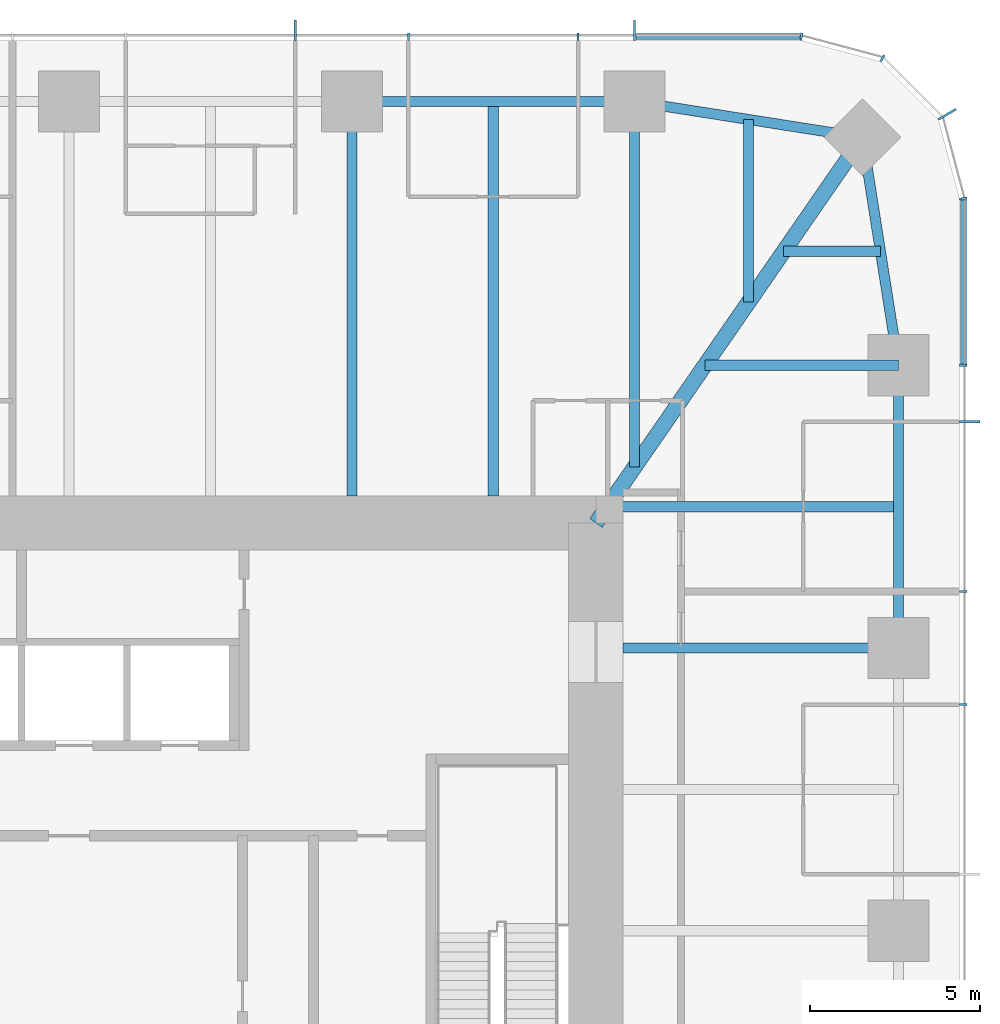
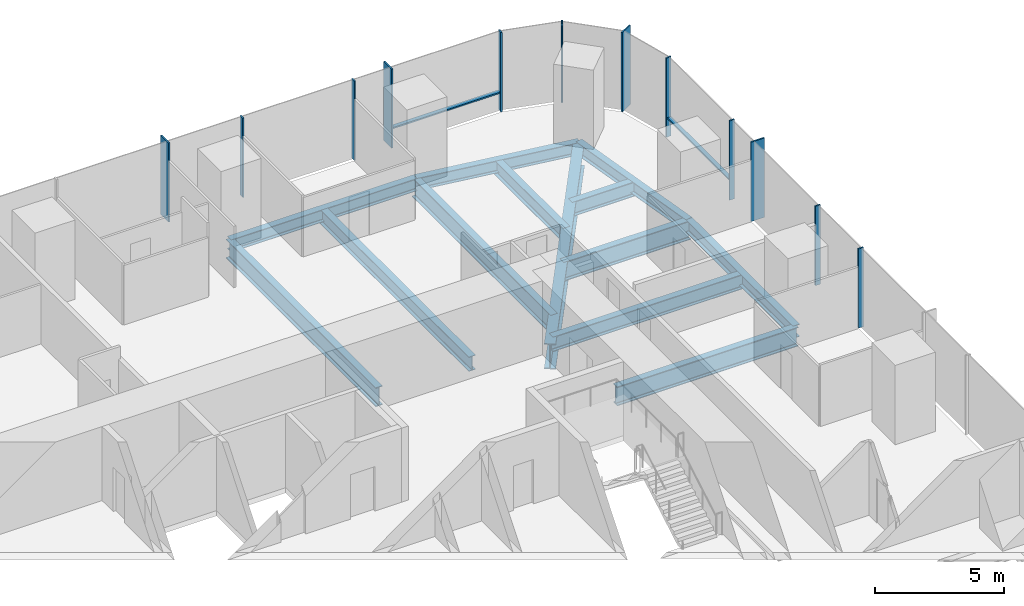
# One storey, part 6 of 12: 14 members, 13 beams, 3 elements without a shape of their own.
"""IFC4 building model written with IfcOpenShell, lengths in metres."""

import ifcopenshell
import ifcopenshell.guid

model = None  # the IFC model being written
_history = None  # IfcOwnerHistory: only IFC2X3 demands one
_inside = {}  # id of a spatial element -> (the spatial element, [elements in it])
_under = {}  # id of a project, library or spatial element -> (it, [spatial elements below it])
_declared = {}  # id of a project -> (the project, [libraries it declares])
_typed = {}  # id of a type object -> (the type object, [elements of that type])
_made_of = {}  # id of a material, layer set ... -> (it, [elements and type objects made of it])


def new_model(schema):
    """Start an empty IFC model of exactly this schema.

    Asked for "IFC4X3", IfcOpenShell would pick the latest addendum, in which some entities
    have other attributes; the version numbers below select the first issue.
    IFC2X3 requires an IfcOwnerHistory on every rooted entity: one is made here for all.
    """
    global model, _history
    if schema == "IFC4X3":
        model = ifcopenshell.file(schema_version=(4, 3, 0, 0))
    else:
        model = ifcopenshell.file(schema=schema)
    _inside.clear()
    _under.clear()
    _declared.clear()
    _typed.clear()
    _made_of.clear()
    _history = None
    if model.schema == "IFC2X3":
        org = make("IfcOrganization", Name="unknown")
        user = make(
            "IfcPersonAndOrganization",
            ThePerson=make("IfcPerson", FamilyName="unknown"),
            TheOrganization=org,
        )
        app = make(
            "IfcApplication",
            ApplicationDeveloper=org,
            Version="unknown",
            ApplicationFullName="unknown",
            ApplicationIdentifier="unknown",
        )
        _history = make(
            "IfcOwnerHistory",
            OwningUser=user,
            OwningApplication=app,
            ChangeAction="ADDED",
            CreationDate=0,
        )
    return model


def make(cls, **values):
    """One entity of the class cls with the attributes given. An attribute that is None is left unset."""
    return model.create_entity(
        cls, **{name: value for name, value in values.items() if value is not None}
    )


def rooted(cls, **values):
    """An entity with a GlobalId (a new one), such as an element, a storey or a relation."""
    return make(cls, GlobalId=ifcopenshell.guid.new(), OwnerHistory=_history, **values)


def si_unit(unit_type, name, prefix=None):
    """IfcSIUnit, for example si_unit("LENGTHUNIT", "METRE", prefix="MILLI")."""
    return make("IfcSIUnit", UnitType=unit_type, Prefix=prefix, Name=name)


def assignment(units):
    """IfcUnitAssignment: the units of a project."""
    return None if units is None else make("IfcUnitAssignment", Units=units)


def point(xyz):
    """IfcCartesianPoint."""
    return None if xyz is None else make("IfcCartesianPoint", Coordinates=xyz)


def direction(xyz):
    """IfcDirection."""
    return None if xyz is None else make("IfcDirection", DirectionRatios=xyz)


def frame(location, z_axis=None, x_axis=None):
    """IfcAxis2Placement3D, a coordinate frame: its origin and axes. An axis left out is left unset."""
    return make(
        "IfcAxis2Placement3D",
        Location=point(location),
        Axis=direction(z_axis),
        RefDirection=direction(x_axis),
    )


def frame_2d(location, x_axis=None):
    """IfcAxis2Placement2D, a coordinate frame in the plane: its origin and x axis."""
    return make(
        "IfcAxis2Placement2D", Location=point(location), RefDirection=direction(x_axis)
    )


def origin():
    """The frame at (0, 0, 0) with its axes left unset."""
    return frame((0.0, 0.0, 0.0))


def origin_2d():
    """The frame at (0, 0) in the plane with its x axis left unset."""
    return frame_2d((0.0, 0.0))


def place(relative_to, where):
    """IfcLocalPlacement: puts the frame where relative to a parent placement (None: the world)."""
    return make(
        "IfcLocalPlacement", PlacementRelTo=relative_to, RelativePlacement=where
    )


def context(
    kind, dimensions, precision=None, world=None, true_north=None, identifier=None
):
    """IfcGeometricRepresentationContext, for example the 3D "Model" context."""
    return make(
        "IfcGeometricRepresentationContext",
        ContextIdentifier=identifier,
        ContextType=kind,
        CoordinateSpaceDimension=dimensions,
        Precision=precision,
        WorldCoordinateSystem=world,
        TrueNorth=true_north,
    )


def subcontext(parent, identifier, kind, view, scale=None):
    """IfcGeometricRepresentationSubContext, for example "Body" below "Model"."""
    return make(
        "IfcGeometricRepresentationSubContext",
        ContextIdentifier=identifier,
        ContextType=kind,
        ParentContext=parent,
        TargetScale=scale,
        TargetView=view,
    )


def project(units=None, contexts=None):
    """IfcProject with its units and contexts."""
    return rooted(
        "IfcProject",
        Name="project",
        RepresentationContexts=contexts,
        UnitsInContext=assignment(units),
    )


def spatial(cls, under=None, at=None, **own):
    """A site, building, storey or space (cls), placed at a placement, below another one or the project."""
    s = rooted(cls, ObjectPlacement=at, **own)
    if under is not None:
        _under.setdefault(under.id(), (under, []))[1].append(s)
    return s


def profile(cls, at=None, kind="AREA", **sizes):
    """A parametric profile (cls). Its sizes go by their IFC names, for example OverallWidth=200.0."""
    return make(cls, ProfileType=kind, Position=at, **sizes)


def rectangle(**sizes):
    """IfcRectangleProfileDef."""
    return profile("IfcRectangleProfileDef", **sizes)


def i_section(**sizes):
    """IfcIShapeProfileDef."""
    return profile("IfcIShapeProfileDef", **sizes)


def extrude(swept, where, along, depth):
    """IfcExtrudedAreaSolid: the profile swept, set in the frame where, extruded along a direction by depth."""
    return make(
        "IfcExtrudedAreaSolid",
        SweptArea=swept,
        Position=where,
        ExtrudedDirection=direction(along),
        Depth=depth,
    )


def shape(context_of_items, identifier, shape_type, items):
    """IfcShapeRepresentation: the items that make up one representation, for example the "Body"."""
    return make(
        "IfcShapeRepresentation",
        ContextOfItems=context_of_items,
        RepresentationIdentifier=identifier,
        RepresentationType=shape_type,
        Items=items,
    )


def material(Name=None, Category=None):
    """IfcMaterial."""
    return make("IfcMaterial", Name=Name, Category=Category)


def material_profile(
    of_material, cross_section, Name=None, Category=None, Priority=None
):
    """IfcMaterialProfile: a cross section and its material."""
    return make(
        "IfcMaterialProfile",
        Name=Name,
        Material=of_material,
        Profile=cross_section,
        Priority=Priority,
        Category=Category,
    )


def profile_set(profiles, Name=None, composite=None):
    """IfcMaterialProfileSet."""
    return make(
        "IfcMaterialProfileSet",
        Name=Name,
        MaterialProfiles=profiles,
        CompositeProfile=composite,
    )


def made_of(thing, what):
    """Note that an element or type object is made of a material, layer set ...; save() writes the relation."""
    if what is not None:
        _made_of.setdefault(what.id(), (what, []))[1].append(thing)
    return thing


def type_object(cls, material=None, **own):
    """A type object (cls), such as IfcWallType, which elements share."""
    return made_of(rooted(cls, **own), material)


def element(
    cls,
    number,
    at=None,
    inside=None,
    cuts=None,
    type_object=None,
    material=None,
    context=None,
    identifier="Body",
    shape_type=None,
    held_by="IfcProductDefinitionShape",
    body=None,
    shapes=None,
    **own,
):
    """One element of the class cls, such as IfcWall. Its Tag is "e" and its number.

    at: its placement. inside: the storey or other place that contains it. cuts: it is an
    opening in that element (IfcRelVoidsElement). A single representation is given by context,
    identifier, shape_type and body (its items); several are given by shapes. held_by: the class
    of the entity that holds the representations. save() writes the other relations.
    """
    e = rooted(cls, Tag="e%d" % number, ObjectPlacement=at, **own)
    if body is not None:
        shapes = [shape(context, identifier, shape_type, body)]
    if shapes is not None:
        e.Representation = make(held_by, Representations=shapes)
    if inside is not None:
        _inside.setdefault(inside.id(), (inside, []))[1].append(e)
    if cuts is not None:
        rooted(
            "IfcRelVoidsElement", RelatingBuildingElement=cuts, RelatedOpeningElement=e
        )
    if type_object is not None:
        _typed.setdefault(type_object.id(), (type_object, []))[1].append(e)
    return made_of(e, material)


def aggregate(whole, parts):
    """IfcRelAggregates: a whole, such as a stair, and the parts it consists of."""
    return rooted("IfcRelAggregates", RelatingObject=whole, RelatedObjects=parts)


def save(model, path):
    """Write the relations noted so far, then the file.

    IfcRelAggregates (storeys below a building ...), IfcRelContainedInSpatialStructure (elements
    in a storey), IfcRelDefinesByType, IfcRelAssociatesMaterial and IfcRelDeclares: one each for
    every whole, place, type object, material and project.
    """
    for whole, parts in _under.values():
        aggregate(whole, parts)
    for where, things in _inside.values():
        rooted(
            "IfcRelContainedInSpatialStructure",
            RelatedElements=things,
            RelatingStructure=where,
        )
    for kind, things in _typed.values():
        rooted("IfcRelDefinesByType", RelatedObjects=things, RelatingType=kind)
    for what, things in _made_of.values():
        rooted("IfcRelAssociatesMaterial", RelatedObjects=things, RelatingMaterial=what)
    for by, libraries in _declared.values():
        rooted("IfcRelDeclares", RelatingContext=by, RelatedDefinitions=libraries)
    model.write(path)


model = new_model("IFC4")

# Units and contexts
model_context = context("Model", 3, precision=1e-05, world=origin(), true_north=direction((0.0, 1.0)))
body_context = subcontext(model_context, "Body", "Model", "MODEL_VIEW")
ifc_project = project(units=[si_unit("LENGTHUNIT", "METRE"), si_unit("AREAUNIT", "SQUARE_METRE"), si_unit("VOLUMEUNIT", "CUBIC_METRE"), si_unit("PLANEANGLEUNIT", "RADIAN"), si_unit("MASSUNIT", "GRAM", prefix="KILO")], contexts=[model_context])

# Site, building, storey
site_placement = place(None, origin())
site = spatial("IfcSite", under=ifc_project, at=site_placement, CompositionType="ELEMENT")
building_placement = place(site_placement, origin())
building = spatial("IfcBuilding", under=site, at=building_placement, Name="Khuree Lantern Residences", CompositionType="ELEMENT")
storey_placement = place(building_placement, frame((0.0, 0.0, 218.25)))
storey = spatial("IfcBuildingStorey", under=building, at=storey_placement, Name="L54", CompositionType="ELEMENT", Elevation=218.25)

# Beams
ifc_material_1 = material(Name="Steel S355", Category="steel")
ifc_material_profile_1 = material_profile(ifc_material_1, i_section(OverallWidth=0.300048828125, OverallDepth=0.68994140625, WebThickness=0.014404296875, FlangeThickness=0.027099609375, FilletRadius=0.027099609375, at=origin_2d()), Name="HE 700 A")
ifc_profile_set_1 = profile_set([ifc_material_profile_1], Name="Steel S355")
beam_type_1 = type_object("IfcBeamType", Name="B-32 SECONDARY BEAM HE 700 A", PredefinedType="BEAM", material=ifc_profile_set_1)
beam_1_placement = place(storey_placement, frame((12.47998046875, 24.39990234375, -0.594970703125), z_axis=(0.0, -1.0, 0.0), x_axis=(1.0, 0.0, 0.0)))
element("IfcBeam", 1, at=beam_1_placement, inside=storey, type_object=beam_type_1, Name="Secondary beam N4", PredefinedType="BEAM", context=body_context, shape_type="SweptSolid", body=[
    extrude(i_section(OverallWidth=0.300048828125, OverallDepth=0.68994140625, WebThickness=0.014404296875, FlangeThickness=0.027099609375, FilletRadius=0.027099609375, at=origin_2d()), origin(), (0.0, 0.0, 1.0), 11.599853515625),
])
beam_2_placement = place(storey_placement, frame((19.992919921875, 23.872802734375, -0.594970703125), z_axis=(0.0, -1.0, 0.0), x_axis=(1.0, 0.0, 0.0)))
element("IfcBeam", 2, at=beam_2_placement, inside=storey, type_object=beam_type_1, Name="Secondary beam N5", PredefinedType="BEAM", context=body_context, shape_type="SweptSolid", body=[
    extrude(i_section(OverallWidth=0.300048828125, OverallDepth=0.68994140625, WebThickness=0.014404296875, FlangeThickness=0.027099609375, FilletRadius=0.027099609375, at=origin_2d()), origin(), (0.0, 0.0, 1.0), 5.375732421875),
])
beam_3_placement = place(storey_placement, frame((23.872802734375, 19.992919921875, -0.594970703125), z_axis=(-1.0, 0.0, 0.0), x_axis=(0.0, -1.0, 0.0)))
element("IfcBeam", 3, at=beam_3_placement, inside=storey, type_object=beam_type_1, Name="Secondary beam E1", PredefinedType="BEAM", context=body_context, shape_type="SweptSolid", body=[
    extrude(i_section(OverallWidth=0.300048828125, OverallDepth=0.68994140625, WebThickness=0.014404296875, FlangeThickness=0.027099609375, FilletRadius=0.027099609375, at=origin_2d()), origin(), (0.0, 0.0, 1.0), 2.845703125),
])
beam_4_placement = place(storey_placement, frame((24.39990234375, 12.47998046875, -0.594970703125), z_axis=(-1.0, 0.0, 0.0), x_axis=(0.0, -1.0, 0.0)))
element("IfcBeam", 4, at=beam_4_placement, inside=storey, type_object=beam_type_1, Name="Secondary beam E2", PredefinedType="BEAM", context=body_context, shape_type="SweptSolid", body=[
    extrude(i_section(OverallWidth=0.300048828125, OverallDepth=0.68994140625, WebThickness=0.014404296875, FlangeThickness=0.027099609375, FilletRadius=0.027099609375, at=origin_2d()), origin(), (0.0, 0.0, 1.0), 8.56787109375),
])
ifc_material_profile_2 = material_profile(ifc_material_1, i_section(OverallWidth=0.300048828125, OverallDepth=0.590087890625, WebThickness=0.012939453125, FlangeThickness=0.02490234375, FilletRadius=0.027099609375, at=origin_2d()), Name="HE 600 A")
ifc_profile_set_2 = profile_set([ifc_material_profile_2], Name="Steel S355")
beam_type_2 = type_object("IfcBeamType", Name="E-32 SPANDREL BEAM HE 600 A", PredefinedType="SPANDREL", material=ifc_profile_set_2)
beam_5_placement = place(storey_placement, frame((8.320068359375, 24.39990234375, -0.544921875), z_axis=(1.0, 0.0, 0.0), x_axis=(0.0, 1.0, 0.0)))
element("IfcBeam", 5, at=beam_5_placement, inside=storey, type_object=beam_type_2, Name="Spandrel beam N4", PredefinedType="SPANDREL", context=body_context, shape_type="SweptSolid", body=[
    extrude(i_section(OverallWidth=0.300048828125, OverallDepth=0.590087890625, WebThickness=0.012939453125, FlangeThickness=0.02490234375, FilletRadius=0.027099609375, at=origin_2d()), origin(), (0.0, 0.0, 1.0), 8.31982421875),
])
for number, where, z_axis, x_axis, name in (
    (6, (16.639892578125, 24.39990234375, -0.544921875), (0.98786743189, -0.155299507442, 0.0), (0.155299507442, 0.98786743189, 0.0), "Spandrel beam N5"),
    (7, (23.345703125, 23.345703125, -0.544921875), (0.155299507442, -0.98786743189, 0.0), (0.98786743189, 0.155299507442, 0.0), "Spandrel beam E1"),
):
    element("IfcBeam", number, at=place(storey_placement, frame(where, z_axis=z_axis, x_axis=x_axis)), inside=storey, type_object=beam_type_2, Name=name, PredefinedType="SPANDREL", context=body_context, shape_type="SweptSolid", body=[
        extrude(i_section(OverallWidth=0.300048828125, OverallDepth=0.590087890625, WebThickness=0.012939453125, FlangeThickness=0.02490234375, FilletRadius=0.027099609375, at=origin_2d()), origin(), (0.0, 0.0, 1.0), 6.7880859375),
    ])
beam_6_placement = place(storey_placement, frame((24.39990234375, 16.639892578125, -0.544921875), z_axis=(0.0, -1.0, 0.0), x_axis=(1.0, 0.0, 0.0)))
element("IfcBeam", 8, at=beam_6_placement, inside=storey, type_object=beam_type_2, Name="Spandrel beam E2", PredefinedType="SPANDREL", context=body_context, shape_type="SweptSolid", body=[
    extrude(i_section(OverallWidth=0.300048828125, OverallDepth=0.590087890625, WebThickness=0.012939453125, FlangeThickness=0.02490234375, FilletRadius=0.027099609375, at=origin_2d()), origin(), (0.0, 0.0, 1.0), 8.31982421875),
])

# Curtain wall, member
ifc_material_2 = material(Name="Bronze anodised aluminium", Category="aluminium")
curtain_wall_type_1 = type_object("IfcCurtainWallType", Name="CW-T1 TOWER FACE CURTAIN WALL", PredefinedType="USERDEFINED", material=ifc_material_2)
curtain_wall_1_placement = place(storey_placement, origin())
curtain_wall_1 = element("IfcCurtainWall", 9, at=curtain_wall_1_placement, inside=storey, type_object=curtain_wall_type_1, Name="L54 EAST FACE CURTAIN WALL", ObjectType="Stick-built curtain wall", PredefinedType="USERDEFINED")
ifc_material_profile_3 = material_profile(ifc_material_2, rectangle(XDim=0.06494140625, YDim=0.60009765625, at=origin_2d()), Name="F1 65X600")
ifc_profile_set_3 = profile_set([ifc_material_profile_3], Name="Bronze anodised aluminium")
member_type_1 = type_object("IfcMemberType", Name="F1 BRONZE FIN MULLION TOWER 65X600", PredefinedType="MULLION", material=ifc_profile_set_3)
member_1_placement = place(storey_placement, frame((26.5, 14.97607421875, 0.0), z_axis=(0.0, 0.0, 1.0), x_axis=(0.0, 1.0, 0.0)))
member_1 = element("IfcMember", 10, at=member_1_placement, type_object=member_type_1, Name="L54 EAST FACE FIN MULLION 13", PredefinedType="MULLION", context=body_context, shape_type="SweptSolid", body=[
    extrude(rectangle(XDim=0.06494140625, YDim=0.60009765625, at=origin_2d()), origin(), (0.0, 0.0, 1.0), 3.75),
])

curtain_wall_type_2 = type_object("IfcCurtainWallType", Name="CW-T2 TOWER CORNER CURTAIN WALL", PredefinedType="USERDEFINED", material=ifc_material_2)
curtain_wall_2_placement = place(storey_placement, origin())
curtain_wall_2 = element("IfcCurtainWall", 11, at=curtain_wall_2_placement, inside=storey, type_object=curtain_wall_type_2, Name="L54 NORTH-EAST CORNER CURTAIN WALL", ObjectType="Faceted corner curtain wall", PredefinedType="USERDEFINED")
member_2_placement = place(storey_placement, frame((25.8369140625, 24.02490234375, 0.0), z_axis=(0.0, 0.0, 1.0), x_axis=(-0.499999989586, 0.866025409797, 0.0)))
member_2 = element("IfcMember", 12, at=member_2_placement, type_object=member_type_1, Name="L54 NORTH-EAST CORNER FIN MULLION 16", PredefinedType="MULLION", context=body_context, shape_type="SweptSolid", body=[
    extrude(rectangle(XDim=0.06494140625, YDim=0.60009765625, at=origin_2d()), origin(), (0.0, 0.0, 1.0), 3.75),
])

# Curtain wall, members
curtain_wall_3_placement = place(storey_placement, origin())
curtain_wall_3 = element("IfcCurtainWall", 13, at=curtain_wall_3_placement, inside=storey, type_object=curtain_wall_type_1, Name="L54 NORTH FACE CURTAIN WALL", ObjectType="Stick-built curtain wall", PredefinedType="USERDEFINED")
member_3_placement = place(storey_placement, frame((16.639892578125, 26.5, 0.0), z_axis=(0.0, 0.0, 1.0), x_axis=(-1.0, 0.0, 0.0)))
member_3 = element("IfcMember", 14, at=member_3_placement, type_object=member_type_1, Name="L54 NORTH FACE FIN MULLION 19", PredefinedType="MULLION", context=body_context, shape_type="SweptSolid", body=[
    extrude(rectangle(XDim=0.06494140625, YDim=0.60009765625, at=origin_2d()), origin(), (0.0, 0.0, 1.0), 3.75),
])
member_4_placement = place(storey_placement, frame((6.656005859375, 26.5, 0.0), z_axis=(0.0, 0.0, 1.0), x_axis=(-1.0, 0.0, 0.0)))
member_4 = element("IfcMember", 15, at=member_4_placement, type_object=member_type_1, Name="L54 NORTH FACE FIN MULLION 22", PredefinedType="MULLION", context=body_context, shape_type="SweptSolid", body=[
    extrude(rectangle(XDim=0.06494140625, YDim=0.60009765625, at=origin_2d()), origin(), (0.0, 0.0, 1.0), 3.75),
])

# Beams
ifc_material_profile_4 = material_profile(ifc_material_1, i_section(OverallWidth=0.300048828125, OverallDepth=0.89990234375, WebThickness=0.0185546875, FlangeThickness=0.034912109375, FilletRadius=0.030029296875, at=origin_2d()), Name="HE 900 B")
ifc_profile_set_4 = profile_set([ifc_material_profile_4], Name="Steel S355")
beam_type_3 = type_object("IfcBeamType", Name="G-32 GIRDER HE 900 B", PredefinedType="BEAM", material=ifc_profile_set_4)
beam_7_placement = place(storey_placement, frame((8.320068359375, 24.39990234375, -0.699951171875), z_axis=(0.0, -1.0, 0.0), x_axis=(1.0, 0.0, 0.0)))
element("IfcBeam", 16, at=beam_7_placement, inside=storey, type_object=beam_type_3, Name="Girder N4", PredefinedType="BEAM", context=body_context, shape_type="SweptSolid", body=[
    extrude(i_section(OverallWidth=0.300048828125, OverallDepth=0.89990234375, WebThickness=0.0185546875, FlangeThickness=0.034912109375, FilletRadius=0.030029296875, at=origin_2d()), origin(), (0.0, 0.0, 1.0), 11.599853515625),
])
beam_8_placement = place(storey_placement, frame((16.639892578125, 24.39990234375, -0.699951171875), z_axis=(0.0, -1.0, 0.0), x_axis=(1.0, 0.0, 0.0)))
element("IfcBeam", 17, at=beam_8_placement, inside=storey, type_object=beam_type_3, Name="Girder N5", PredefinedType="BEAM", context=body_context, shape_type="SweptSolid", body=[
    extrude(i_section(OverallWidth=0.300048828125, OverallDepth=0.89990234375, WebThickness=0.0185546875, FlangeThickness=0.034912109375, FilletRadius=0.030029296875, at=origin_2d()), origin(), (0.0, 0.0, 1.0), 10.751220703125),
])
beam_9_placement = place(storey_placement, frame((24.39990234375, 16.639892578125, -0.699951171875), z_axis=(-1.0, 0.0, 0.0), x_axis=(0.0, -1.0, 0.0)))
element("IfcBeam", 18, at=beam_9_placement, inside=storey, type_object=beam_type_3, Name="Girder E1", PredefinedType="BEAM", context=body_context, shape_type="SweptSolid", body=[
    extrude(i_section(OverallWidth=0.300048828125, OverallDepth=0.89990234375, WebThickness=0.0185546875, FlangeThickness=0.034912109375, FilletRadius=0.030029296875, at=origin_2d()), origin(), (0.0, 0.0, 1.0), 5.69140625),
])
beam_10_placement = place(storey_placement, frame((24.39990234375, 8.320068359375, -0.699951171875), z_axis=(-1.0, 0.0, 0.0), x_axis=(0.0, -1.0, 0.0)))
element("IfcBeam", 19, at=beam_10_placement, inside=storey, type_object=beam_type_3, Name="Girder E2", PredefinedType="BEAM", context=body_context, shape_type="SweptSolid", body=[
    extrude(i_section(OverallWidth=0.300048828125, OverallDepth=0.89990234375, WebThickness=0.0185546875, FlangeThickness=0.034912109375, FilletRadius=0.030029296875, at=origin_2d()), origin(), (0.0, 0.0, 1.0), 8.099853515625),
])
ifc_material_profile_5 = material_profile(ifc_material_1, i_section(OverallWidth=0.449951171875, OverallDepth=1.199951171875, WebThickness=0.02490234375, FlangeThickness=0.044921875, at=origin_2d()), Name="WELDED I 1200X450X25X45")
ifc_profile_set_5 = profile_set([ifc_material_profile_5], Name="Steel S355")
beam_type_4 = type_object("IfcBeamType", Name="GD-32 CORNER GIRDER WELDED I 1200X450X25X45", PredefinedType="BEAM", material=ifc_profile_set_5)
beam_11_placement = place(storey_placement, frame((23.345703125, 23.345703125, -0.85009765625), z_axis=(-0.56876813501, -0.822497907959, 0.0), x_axis=(0.822497907959, -0.56876813501, 0.0)))
element("IfcBeam", 20, at=beam_11_placement, inside=storey, type_object=beam_type_4, Name="Corner girder NE", PredefinedType="BEAM", context=body_context, shape_type="SweptSolid", body=[
    extrude(i_section(OverallWidth=0.449951171875, OverallDepth=1.199951171875, WebThickness=0.02490234375, FlangeThickness=0.044921875, at=origin_2d()), origin(), (0.0, 0.0, 1.0), 13.794189453125),
])

# Member
ifc_material_profile_6 = material_profile(ifc_material_2, rectangle(XDim=0.06494140625, YDim=0.219970703125, at=origin_2d()), Name="M1 65X220")
ifc_profile_set_6 = profile_set([ifc_material_profile_6], Name="Bronze anodised aluminium")
member_type_2 = type_object("IfcMemberType", Name="M1 BRONZE MULLION TOWER 65X220", PredefinedType="MULLION", material=ifc_profile_set_6)
member_5_placement = place(storey_placement, frame((26.31005859375, 6.656005859375, 0.0), z_axis=(0.0, 0.0, 1.0), x_axis=(0.0, 1.0, 0.0)))
member_5 = element("IfcMember", 21, at=member_5_placement, type_object=member_type_2, Name="L54 EAST FACE MULLION 11", PredefinedType="MULLION", context=body_context, shape_type="SweptSolid", body=[
    extrude(rectangle(XDim=0.06494140625, YDim=0.219970703125, at=origin_2d()), origin(), (0.0, 0.0, 1.0), 3.75),
])

member_6_placement = place(storey_placement, frame((26.31005859375, 9.98388671875, 0.0), z_axis=(0.0, 0.0, 1.0), x_axis=(0.0, 1.0, 0.0)))
member_6 = element("IfcMember", 22, at=member_6_placement, type_object=member_type_2, Name="L54 EAST FACE MULLION 12", PredefinedType="MULLION", context=body_context, shape_type="SweptSolid", body=[
    extrude(rectangle(XDim=0.06494140625, YDim=0.219970703125, at=origin_2d()), origin(), (0.0, 0.0, 1.0), 3.75),
])

member_7_placement = place(storey_placement, frame((26.31005859375, 16.639892578125, 0.0), z_axis=(0.0, 0.0, 1.0), x_axis=(0.0, 1.0, 0.0)))
member_7 = element("IfcMember", 23, at=member_7_placement, type_object=member_type_2, Name="L54 EAST FACE MULLION 14", PredefinedType="MULLION", context=body_context, shape_type="SweptSolid", body=[
    extrude(rectangle(XDim=0.06494140625, YDim=0.219970703125, at=origin_2d()), origin(), (0.0, 0.0, 1.0), 3.75),
])

member_8_placement = place(storey_placement, frame((26.311767578125, 21.544921875, 0.0), z_axis=(0.0, 0.0, 1.0), x_axis=(-0.130526180298, 0.991444862943, 0.0)))
member_8 = element("IfcMember", 24, at=member_8_placement, type_object=member_type_2, Name="L54 NORTH-EAST CORNER MULLION 15", PredefinedType="MULLION", context=body_context, shape_type="SweptSolid", body=[
    extrude(rectangle(XDim=0.06494140625, YDim=0.219970703125, at=origin_2d()), origin(), (0.0, 0.0, 1.0), 3.75),
])

member_9_placement = place(storey_placement, frame((23.929931640625, 25.67236328125, 0.0), z_axis=(0.0, 0.0, 1.0), x_axis=(-0.866025409797, 0.499999989586, 0.0)))
member_9 = element("IfcMember", 25, at=member_9_placement, type_object=member_type_2, Name="L54 NORTH-EAST CORNER MULLION 17", PredefinedType="MULLION", context=body_context, shape_type="SweptSolid", body=[
    extrude(rectangle(XDim=0.06494140625, YDim=0.219970703125, at=origin_2d()), origin(), (0.0, 0.0, 1.0), 3.75),
])

aggregate(curtain_wall_2, [member_8, member_2, member_9])

member_10_placement = place(storey_placement, frame((21.544921875, 26.311767578125, 0.0), z_axis=(0.0, 0.0, 1.0), x_axis=(-0.991444862943, 0.130526180298, 0.0)))
member_10 = element("IfcMember", 26, at=member_10_placement, type_object=member_type_2, Name="L54 NORTH FACE MULLION 18", PredefinedType="MULLION", context=body_context, shape_type="SweptSolid", body=[
    extrude(rectangle(XDim=0.06494140625, YDim=0.219970703125, at=origin_2d()), origin(), (0.0, 0.0, 1.0), 3.75),
])

member_11_placement = place(storey_placement, frame((14.97607421875, 26.31005859375, 0.0), z_axis=(0.0, 0.0, 1.0), x_axis=(-1.0, 0.0, 0.0)))
member_11 = element("IfcMember", 27, at=member_11_placement, type_object=member_type_2, Name="L54 NORTH FACE MULLION 20", PredefinedType="MULLION", context=body_context, shape_type="SweptSolid", body=[
    extrude(rectangle(XDim=0.06494140625, YDim=0.219970703125, at=origin_2d()), origin(), (0.0, 0.0, 1.0), 3.75),
])

member_12_placement = place(storey_placement, frame((9.98388671875, 26.31005859375, 0.0), z_axis=(0.0, 0.0, 1.0), x_axis=(-1.0, 0.0, 0.0)))
member_12 = element("IfcMember", 28, at=member_12_placement, type_object=member_type_2, Name="L54 NORTH FACE MULLION 21", PredefinedType="MULLION", context=body_context, shape_type="SweptSolid", body=[
    extrude(rectangle(XDim=0.06494140625, YDim=0.219970703125, at=origin_2d()), origin(), (0.0, 0.0, 1.0), 3.75),
])

ifc_material_profile_7 = material_profile(ifc_material_2, rectangle(XDim=0.179931640625, YDim=0.06494140625, at=origin_2d()), Name="T1 180X65")
ifc_profile_set_7 = profile_set([ifc_material_profile_7], Name="Bronze anodised aluminium")
member_type_3 = type_object("IfcMemberType", Name="TRANSOM T1 TOWER 180X65", PredefinedType="USERDEFINED", material=ifc_profile_set_7)
member_13_placement = place(storey_placement, frame((26.320068359375, 16.672607421875, 0.89990234375), z_axis=(0.0, 1.0, 0.0), x_axis=(-1.0, 0.0, 0.0)))
member_13 = element("IfcMember", 29, at=member_13_placement, type_object=member_type_3, Name="L54 EAST FACE TRANSOM 14.1", ObjectType="Transom", PredefinedType="USERDEFINED", context=body_context, shape_type="SweptSolid", body=[
    extrude(rectangle(XDim=0.179931640625, YDim=0.06494140625, at=origin_2d()), origin(), (0.0, 0.0, 1.0), 4.828857421875),
])

aggregate(curtain_wall_1, [member_5, member_6, member_1, member_7, member_13])

member_14_placement = place(storey_placement, frame((21.50146484375, 26.320068359375, 0.89990234375), z_axis=(-1.0, 0.0, 0.0), x_axis=(0.0, -1.0, 0.0)))
member_14 = element("IfcMember", 30, at=member_14_placement, type_object=member_type_3, Name="L54 NORTH FACE TRANSOM 18.1", ObjectType="Transom", PredefinedType="USERDEFINED", context=body_context, shape_type="SweptSolid", body=[
    extrude(rectangle(XDim=0.179931640625, YDim=0.06494140625, at=origin_2d()), origin(), (0.0, 0.0, 1.0), 4.828857421875),
])

aggregate(curtain_wall_3, [member_10, member_3, member_11, member_12, member_4, member_14])

save(model, "model.ifc")
